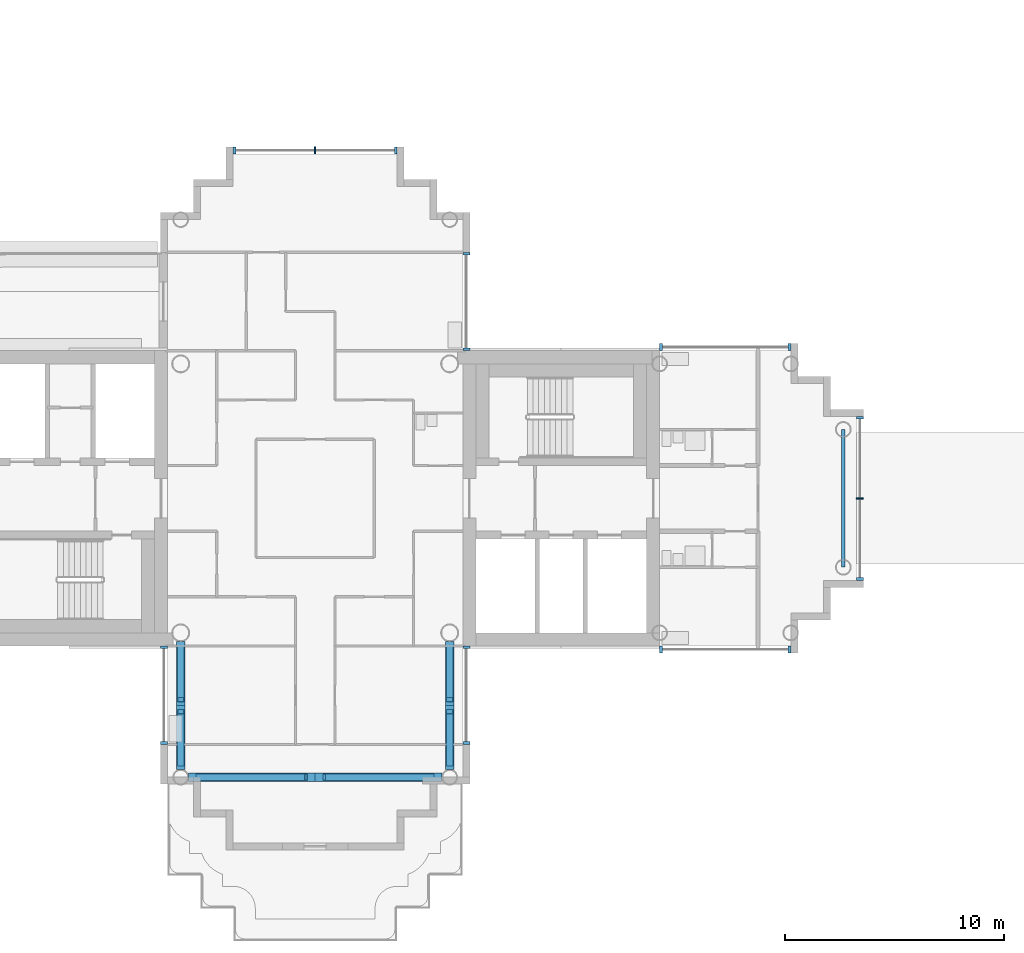
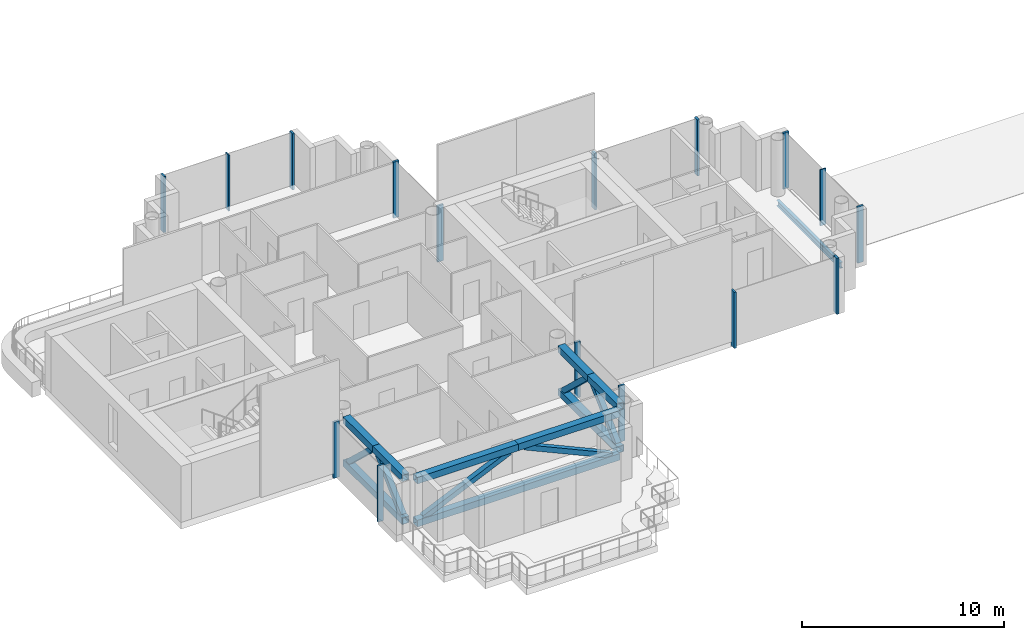
# One storey, part 3 of 19: 31 members, 1 beam, 7 elements without a shape of their own.
"""IFC4 building model written with IfcOpenShell, lengths in metres."""

import ifcopenshell
import ifcopenshell.guid

model = None  # the IFC model being written
_history = None  # IfcOwnerHistory: only IFC2X3 demands one
_inside = {}  # id of a spatial element -> (the spatial element, [elements in it])
_under = {}  # id of a project, library or spatial element -> (it, [spatial elements below it])
_declared = {}  # id of a project -> (the project, [libraries it declares])
_typed = {}  # id of a type object -> (the type object, [elements of that type])
_made_of = {}  # id of a material, layer set ... -> (it, [elements and type objects made of it])


def new_model(schema):
    """Start an empty IFC model of exactly this schema.

    Asked for "IFC4X3", IfcOpenShell would pick the latest addendum, in which some entities
    have other attributes; the version numbers below select the first issue.
    IFC2X3 requires an IfcOwnerHistory on every rooted entity: one is made here for all.
    """
    global model, _history
    if schema == "IFC4X3":
        model = ifcopenshell.file(schema_version=(4, 3, 0, 0))
    else:
        model = ifcopenshell.file(schema=schema)
    _inside.clear()
    _under.clear()
    _declared.clear()
    _typed.clear()
    _made_of.clear()
    _history = None
    if model.schema == "IFC2X3":
        org = make("IfcOrganization", Name="unknown")
        user = make(
            "IfcPersonAndOrganization",
            ThePerson=make("IfcPerson", FamilyName="unknown"),
            TheOrganization=org,
        )
        app = make(
            "IfcApplication",
            ApplicationDeveloper=org,
            Version="unknown",
            ApplicationFullName="unknown",
            ApplicationIdentifier="unknown",
        )
        _history = make(
            "IfcOwnerHistory",
            OwningUser=user,
            OwningApplication=app,
            ChangeAction="ADDED",
            CreationDate=0,
        )
    return model


def make(cls, **values):
    """One entity of the class cls with the attributes given. An attribute that is None is left unset."""
    return model.create_entity(
        cls, **{name: value for name, value in values.items() if value is not None}
    )


def rooted(cls, **values):
    """An entity with a GlobalId (a new one), such as an element, a storey or a relation."""
    return make(cls, GlobalId=ifcopenshell.guid.new(), OwnerHistory=_history, **values)


def si_unit(unit_type, name, prefix=None):
    """IfcSIUnit, for example si_unit("LENGTHUNIT", "METRE", prefix="MILLI")."""
    return make("IfcSIUnit", UnitType=unit_type, Prefix=prefix, Name=name)


def assignment(units):
    """IfcUnitAssignment: the units of a project."""
    return None if units is None else make("IfcUnitAssignment", Units=units)


def point(xyz):
    """IfcCartesianPoint."""
    return None if xyz is None else make("IfcCartesianPoint", Coordinates=xyz)


def direction(xyz):
    """IfcDirection."""
    return None if xyz is None else make("IfcDirection", DirectionRatios=xyz)


def frame(location, z_axis=None, x_axis=None):
    """IfcAxis2Placement3D, a coordinate frame: its origin and axes. An axis left out is left unset."""
    return make(
        "IfcAxis2Placement3D",
        Location=point(location),
        Axis=direction(z_axis),
        RefDirection=direction(x_axis),
    )


def frame_2d(location, x_axis=None):
    """IfcAxis2Placement2D, a coordinate frame in the plane: its origin and x axis."""
    return make(
        "IfcAxis2Placement2D", Location=point(location), RefDirection=direction(x_axis)
    )


def origin():
    """The frame at (0, 0, 0) with its axes left unset."""
    return frame((0.0, 0.0, 0.0))


def origin_2d():
    """The frame at (0, 0) in the plane with its x axis left unset."""
    return frame_2d((0.0, 0.0))


def place(relative_to, where):
    """IfcLocalPlacement: puts the frame where relative to a parent placement (None: the world)."""
    return make(
        "IfcLocalPlacement", PlacementRelTo=relative_to, RelativePlacement=where
    )


def context(
    kind, dimensions, precision=None, world=None, true_north=None, identifier=None
):
    """IfcGeometricRepresentationContext, for example the 3D "Model" context."""
    return make(
        "IfcGeometricRepresentationContext",
        ContextIdentifier=identifier,
        ContextType=kind,
        CoordinateSpaceDimension=dimensions,
        Precision=precision,
        WorldCoordinateSystem=world,
        TrueNorth=true_north,
    )


def subcontext(parent, identifier, kind, view, scale=None):
    """IfcGeometricRepresentationSubContext, for example "Body" below "Model"."""
    return make(
        "IfcGeometricRepresentationSubContext",
        ContextIdentifier=identifier,
        ContextType=kind,
        ParentContext=parent,
        TargetScale=scale,
        TargetView=view,
    )


def project(units=None, contexts=None):
    """IfcProject with its units and contexts."""
    return rooted(
        "IfcProject",
        Name="project",
        RepresentationContexts=contexts,
        UnitsInContext=assignment(units),
    )


def spatial(cls, under=None, at=None, **own):
    """A site, building, storey or space (cls), placed at a placement, below another one or the project."""
    s = rooted(cls, ObjectPlacement=at, **own)
    if under is not None:
        _under.setdefault(under.id(), (under, []))[1].append(s)
    return s


def profile(cls, at=None, kind="AREA", **sizes):
    """A parametric profile (cls). Its sizes go by their IFC names, for example OverallWidth=200.0."""
    return make(cls, ProfileType=kind, Position=at, **sizes)


def rectangle(**sizes):
    """IfcRectangleProfileDef."""
    return profile("IfcRectangleProfileDef", **sizes)


def hollow_rectangle(**sizes):
    """IfcRectangleHollowProfileDef."""
    return profile("IfcRectangleHollowProfileDef", **sizes)


def i_section(**sizes):
    """IfcIShapeProfileDef."""
    return profile("IfcIShapeProfileDef", **sizes)


def extrude(swept, where, along, depth):
    """IfcExtrudedAreaSolid: the profile swept, set in the frame where, extruded along a direction by depth."""
    return make(
        "IfcExtrudedAreaSolid",
        SweptArea=swept,
        Position=where,
        ExtrudedDirection=direction(along),
        Depth=depth,
    )


def shape(context_of_items, identifier, shape_type, items):
    """IfcShapeRepresentation: the items that make up one representation, for example the "Body"."""
    return make(
        "IfcShapeRepresentation",
        ContextOfItems=context_of_items,
        RepresentationIdentifier=identifier,
        RepresentationType=shape_type,
        Items=items,
    )


def material(Name=None, Category=None):
    """IfcMaterial."""
    return make("IfcMaterial", Name=Name, Category=Category)


def layer(
    of_material, thickness, ventilated=None, Name=None, Category=None, Priority=None
):
    """IfcMaterialLayer: one layer of a wall or slab, of a material (None: an air gap)."""
    return make(
        "IfcMaterialLayer",
        Material=of_material,
        LayerThickness=thickness,
        IsVentilated=ventilated,
        Name=Name,
        Category=Category,
        Priority=Priority,
    )


def layer_set(layers, Name=None):
    """IfcMaterialLayerSet."""
    return make("IfcMaterialLayerSet", MaterialLayers=layers, LayerSetName=Name)


def material_profile(
    of_material, cross_section, Name=None, Category=None, Priority=None
):
    """IfcMaterialProfile: a cross section and its material."""
    return make(
        "IfcMaterialProfile",
        Name=Name,
        Material=of_material,
        Profile=cross_section,
        Priority=Priority,
        Category=Category,
    )


def profile_set(profiles, Name=None, composite=None):
    """IfcMaterialProfileSet."""
    return make(
        "IfcMaterialProfileSet",
        Name=Name,
        MaterialProfiles=profiles,
        CompositeProfile=composite,
    )


def made_of(thing, what):
    """Note that an element or type object is made of a material, layer set ...; save() writes the relation."""
    if what is not None:
        _made_of.setdefault(what.id(), (what, []))[1].append(thing)
    return thing


def type_object(cls, material=None, **own):
    """A type object (cls), such as IfcWallType, which elements share."""
    return made_of(rooted(cls, **own), material)


def element(
    cls,
    number,
    at=None,
    inside=None,
    cuts=None,
    type_object=None,
    material=None,
    context=None,
    identifier="Body",
    shape_type=None,
    held_by="IfcProductDefinitionShape",
    body=None,
    shapes=None,
    **own,
):
    """One element of the class cls, such as IfcWall. Its Tag is "e" and its number.

    at: its placement. inside: the storey or other place that contains it. cuts: it is an
    opening in that element (IfcRelVoidsElement). A single representation is given by context,
    identifier, shape_type and body (its items); several are given by shapes. held_by: the class
    of the entity that holds the representations. save() writes the other relations.
    """
    e = rooted(cls, Tag="e%d" % number, ObjectPlacement=at, **own)
    if body is not None:
        shapes = [shape(context, identifier, shape_type, body)]
    if shapes is not None:
        e.Representation = make(held_by, Representations=shapes)
    if inside is not None:
        _inside.setdefault(inside.id(), (inside, []))[1].append(e)
    if cuts is not None:
        rooted(
            "IfcRelVoidsElement", RelatingBuildingElement=cuts, RelatedOpeningElement=e
        )
    if type_object is not None:
        _typed.setdefault(type_object.id(), (type_object, []))[1].append(e)
    return made_of(e, material)


def aggregate(whole, parts):
    """IfcRelAggregates: a whole, such as a stair, and the parts it consists of."""
    return rooted("IfcRelAggregates", RelatingObject=whole, RelatedObjects=parts)


def save(model, path):
    """Write the relations noted so far, then the file.

    IfcRelAggregates (storeys below a building ...), IfcRelContainedInSpatialStructure (elements
    in a storey), IfcRelDefinesByType, IfcRelAssociatesMaterial and IfcRelDeclares: one each for
    every whole, place, type object, material and project.
    """
    for whole, parts in _under.values():
        aggregate(whole, parts)
    for where, things in _inside.values():
        rooted(
            "IfcRelContainedInSpatialStructure",
            RelatedElements=things,
            RelatingStructure=where,
        )
    for kind, things in _typed.values():
        rooted("IfcRelDefinesByType", RelatedObjects=things, RelatingType=kind)
    for what, things in _made_of.values():
        rooted("IfcRelAssociatesMaterial", RelatedObjects=things, RelatingMaterial=what)
    for by, libraries in _declared.values():
        rooted("IfcRelDeclares", RelatingContext=by, RelatedDefinitions=libraries)
    model.write(path)


model = new_model("IFC4")

# Units and contexts
model_context = context("Model", 3, precision=1e-05, world=origin(), true_north=direction((0.0, 1.0)))
body_context = subcontext(model_context, "Body", "Model", "MODEL_VIEW")
ifc_project = project(units=[si_unit("LENGTHUNIT", "METRE"), si_unit("AREAUNIT", "SQUARE_METRE"), si_unit("VOLUMEUNIT", "CUBIC_METRE"), si_unit("PLANEANGLEUNIT", "RADIAN"), si_unit("MASSUNIT", "GRAM", prefix="KILO")], contexts=[model_context])

# Site, building, storey
site_placement = place(None, origin())
site = spatial("IfcSite", under=ifc_project, at=site_placement, CompositionType="ELEMENT")
building_placement = place(site_placement, origin())
building = spatial("IfcBuilding", under=site, at=building_placement, Name="Ipe Terrace Towers", CompositionType="ELEMENT")
storey_placement = place(building_placement, frame((0.0, 0.0, 185.800048828125)))
storey = spatial("IfcBuildingStorey", under=building, at=storey_placement, Name="L51", CompositionType="ELEMENT", Elevation=185.800048828125)

# Members
ifc_material_1 = material(Name="Steel S355", Category="steel")
ifc_material_profile_1 = material_profile(ifc_material_1, hollow_rectangle(XDim=0.300048828125, YDim=0.300048828125, WallThickness=0.01611328125, at=origin_2d()), Name="BELT-BRACE BOX 300x300x16")
ifc_profile_set_1 = profile_set([ifc_material_profile_1], Name="Steel S355")
member_type_1 = type_object("IfcMemberType", Name="BELT-BRACE BOX 300x300x16", PredefinedType="BRACE", material=ifc_profile_set_1)
for number, where, z_axis, x_axis, name in (
    (1, (-29.85009765625, -6.822021484375, 0.3798828125), (0.0, -0.728324957511, 0.685231899627), (1.0, 0.0, 0.0), "T1-BT-L51-017 diagonal"),
    (2, (-29.85009765625, -12.1279296875, 0.3798828125), (0.0, 0.728324957511, 0.685231899627), (-1.0, 0.0, 0.0), "T1-BT-L51-018 diagonal"),
    (3, (-42.14990234375, -6.822021484375, 0.3798828125), (0.0, -0.728324957511, 0.685231899627), (1.0, 0.0, 0.0), "T1-BT-L51-022 diagonal"),
    (4, (-42.14990234375, -12.1279296875, 0.3798828125), (0.0, 0.728324957511, 0.685231899627), (-1.0, 0.0, 0.0), "T1-BT-L51-023 diagonal"),
):
    element("IfcMember", number, at=place(storey_placement, frame(where, z_axis=z_axis, x_axis=x_axis)), inside=storey, type_object=member_type_1, Name=name, PredefinedType="BRACE", context=body_context, shape_type="SweptSolid", body=[
        extrude(hollow_rectangle(XDim=0.300048828125, YDim=0.300048828125, WallThickness=0.01611328125, at=origin_2d()), origin(), (0.0, 0.0, 1.0), 3.26904296875),
    ])
for number, where, z_axis, x_axis, name in (
    (5, (-41.3798828125, -12.75, 0.3798828125), (0.911370056844, 0.0, 0.411587924372), (0.0, 1.0, 0.0), "T1-BT-L51-027 diagonal"),
    (6, (-30.6201171875, -12.75, 0.3798828125), (-0.911370056844, 0.0, 0.411587924372), (0.0, -1.0, 0.0), "T1-BT-L51-028 diagonal"),
):
    element("IfcMember", number, at=place(storey_placement, frame(where, z_axis=z_axis, x_axis=x_axis)), inside=storey, type_object=member_type_1, Name=name, PredefinedType="BRACE", context=body_context, shape_type="SweptSolid", body=[
        extrude(hollow_rectangle(XDim=0.300048828125, YDim=0.300048828125, WallThickness=0.01611328125, at=origin_2d()), origin(), (0.0, 0.0, 1.0), 5.4423828125),
    ])
ifc_material_2 = material(Name="Steel S355", Category="steel")
ifc_material_profile_2 = material_profile(ifc_material_2, hollow_rectangle(XDim=0.39990234375, YDim=0.39990234375, WallThickness=0.02001953125, at=origin_2d()), Name="BELT-CHORD BOX 400x400x20")
ifc_profile_set_2 = profile_set([ifc_material_profile_2], Name="Steel S355")
member_type_2 = type_object("IfcMemberType", Name="BELT-CHORD BOX 400x400x20", PredefinedType="CHORD", material=ifc_profile_set_2)
member_1_placement = place(storey_placement, frame((-29.85009765625, -6.550048828125, 0.199951171875), z_axis=(0.0, -1.0, 0.0), x_axis=(1.0, 0.0, 0.0)))
element("IfcMember", 7, at=member_1_placement, inside=storey, type_object=member_type_2, Name="T1-BT-L51-016 bottom chord", PredefinedType="CHORD", context=body_context, shape_type="SweptSolid", body=[
    extrude(hollow_rectangle(XDim=0.39990234375, YDim=0.39990234375, WallThickness=0.02001953125, at=origin_2d()), origin(), (0.0, 0.0, 1.0), 5.849853515625),
])
member_2_placement = place(storey_placement, frame((-29.85009765625, -6.550048828125, 2.800048828125), z_axis=(0.0, -1.0, 0.0), x_axis=(1.0, 0.0, 0.0)))
element("IfcMember", 8, at=member_2_placement, inside=storey, type_object=member_type_2, Name="T1-BT-L51-019 top chord", PredefinedType="CHORD", context=body_context, shape_type="SweptSolid", body=[
    extrude(hollow_rectangle(XDim=0.39990234375, YDim=0.39990234375, WallThickness=0.02001953125, at=origin_2d()), origin(), (0.0, 0.0, 1.0), 2.925048828125),
])
member_3_placement = place(storey_placement, frame((-29.85009765625, -9.47509765625, 2.800048828125), z_axis=(0.0, -1.0, 0.0), x_axis=(1.0, 0.0, 0.0)))
element("IfcMember", 9, at=member_3_placement, inside=storey, type_object=member_type_2, Name="T1-BT-L51-020 top chord", PredefinedType="CHORD", context=body_context, shape_type="SweptSolid", body=[
    extrude(hollow_rectangle(XDim=0.39990234375, YDim=0.39990234375, WallThickness=0.02001953125, at=origin_2d()), origin(), (0.0, 0.0, 1.0), 2.9248046875),
])
member_4_placement = place(storey_placement, frame((-42.14990234375, -6.550048828125, 0.199951171875), z_axis=(0.0, -1.0, 0.0), x_axis=(1.0, 0.0, 0.0)))
element("IfcMember", 10, at=member_4_placement, inside=storey, type_object=member_type_2, Name="T1-BT-L51-021 bottom chord", PredefinedType="CHORD", context=body_context, shape_type="SweptSolid", body=[
    extrude(hollow_rectangle(XDim=0.39990234375, YDim=0.39990234375, WallThickness=0.02001953125, at=origin_2d()), origin(), (0.0, 0.0, 1.0), 5.849853515625),
])
member_5_placement = place(storey_placement, frame((-42.14990234375, -6.550048828125, 2.800048828125), z_axis=(0.0, -1.0, 0.0), x_axis=(1.0, 0.0, 0.0)))
element("IfcMember", 11, at=member_5_placement, inside=storey, type_object=member_type_2, Name="T1-BT-L51-024 top chord", PredefinedType="CHORD", context=body_context, shape_type="SweptSolid", body=[
    extrude(hollow_rectangle(XDim=0.39990234375, YDim=0.39990234375, WallThickness=0.02001953125, at=origin_2d()), origin(), (0.0, 0.0, 1.0), 2.925048828125),
])
member_6_placement = place(storey_placement, frame((-42.14990234375, -9.47509765625, 2.800048828125), z_axis=(0.0, -1.0, 0.0), x_axis=(1.0, 0.0, 0.0)))
element("IfcMember", 12, at=member_6_placement, inside=storey, type_object=member_type_2, Name="T1-BT-L51-025 top chord", PredefinedType="CHORD", context=body_context, shape_type="SweptSolid", body=[
    extrude(hollow_rectangle(XDim=0.39990234375, YDim=0.39990234375, WallThickness=0.02001953125, at=origin_2d()), origin(), (0.0, 0.0, 1.0), 2.9248046875),
])
member_7_placement = place(storey_placement, frame((-41.800048828125, -12.75, 0.199951171875), z_axis=(1.0, 0.0, 0.0), x_axis=(0.0, 1.0, 0.0)))
element("IfcMember", 13, at=member_7_placement, inside=storey, type_object=member_type_2, Name="T1-BT-L51-026 bottom chord", PredefinedType="CHORD", context=body_context, shape_type="SweptSolid", body=[
    extrude(hollow_rectangle(XDim=0.39990234375, YDim=0.39990234375, WallThickness=0.02001953125, at=origin_2d()), origin(), (0.0, 0.0, 1.0), 11.60009765625),
])
for number, where, z_axis, x_axis, name in (
    (14, (-41.800048828125, -12.75, 2.800048828125), (1.0, 0.0, 0.0), (0.0, 1.0, 0.0), "T1-BT-L51-029 top chord"),
    (15, (-36.0, -12.75, 2.800048828125), (1.0, 0.0, 0.0), (0.0, 1.0, 0.0), "T1-BT-L51-030 top chord"),
):
    element("IfcMember", number, at=place(storey_placement, frame(where, z_axis=z_axis, x_axis=x_axis)), inside=storey, type_object=member_type_2, Name=name, PredefinedType="CHORD", context=body_context, shape_type="SweptSolid", body=[
        extrude(hollow_rectangle(XDim=0.39990234375, YDim=0.39990234375, WallThickness=0.02001953125, at=origin_2d()), origin(), (0.0, 0.0, 1.0), 5.800048828125),
    ])

# Beam
ifc_material_3 = material(Name="Steel S355", Category="steel")
ifc_material_profile_3 = material_profile(ifc_material_3, i_section(OverallWidth=0.175048828125, OverallDepth=0.35009765625, WebThickness=0.007080078125, FlangeThickness=0.010986328125, at=origin_2d()), Name="H-350x175x7x11")
ifc_profile_set_3 = profile_set([ifc_material_profile_3], Name="Steel S355")
beam_type = type_object("IfcBeamType", Name="H04 EDGE BEAM H-350x175x7x11", PredefinedType="BEAM", material=ifc_profile_set_3)
beam_placement = place(storey_placement, frame((-11.85009765625, -3.14990234375, -0.574951171875), z_axis=(0.0, 1.0, 0.0), x_axis=(-1.0, 0.0, 0.0)))
element("IfcBeam", 16, at=beam_placement, inside=storey, type_object=beam_type, Name="Edge beam T1-EB-A05-A06", PredefinedType="BEAM", context=body_context, shape_type="SweptSolid", body=[
    extrude(i_section(OverallWidth=0.175048828125, OverallDepth=0.35009765625, WebThickness=0.007080078125, FlangeThickness=0.010986328125, at=origin_2d()), origin(), (0.0, 0.0, 1.0), 6.2998046875),
])

# Curtain wall, members
ifc_material_4 = material(Name="Aluminium alloy 6063-T6", Category="aluminium")
ifc_layer = layer(ifc_material_4, 0.320068359375)
ifc_layer_set = layer_set([ifc_layer], Name="TOWER UNITISED CURTAIN WALL")
curtain_wall_type = type_object("IfcCurtainWallType", Name="TOWER UNITISED CURTAIN WALL", PredefinedType="NOTDEFINED", material=ifc_layer_set)
curtain_wall_1_placement = place(storey_placement, origin())
curtain_wall_1 = element("IfcCurtainWall", 17, at=curtain_wall_1_placement, inside=storey, type_object=curtain_wall_type, Name="T1-CW-L51-02a curtain wall", PredefinedType="NOTDEFINED")
ifc_material_5 = material(Name="Aluminium alloy 6063-T6", Category="aluminium")
ifc_material_profile_4 = material_profile(ifc_material_5, rectangle(XDim=0.320068359375, YDim=0.1201171875, at=origin_2d()), Name="TOWER UNITISED CORNER MULLION 320 x 120")
ifc_profile_set_4 = profile_set([ifc_material_profile_4], Name="Aluminium alloy 6063-T6")
member_type_3 = type_object("IfcMemberType", Name="TOWER UNITISED CORNER MULLION 320 x 120", PredefinedType="MULLION", material=ifc_profile_set_4)
member_8_placement = place(storey_placement, frame((-42.909912109375, -6.81005859375, -0.300048828125), z_axis=(0.0, 0.0, 1.0), x_axis=(-1.0, 0.0, 0.0)))
member_8 = element("IfcMember", 18, at=member_8_placement, type_object=member_type_3, Name="T1-CW-L51-02a mullion 1", PredefinedType="MULLION", context=body_context, shape_type="SweptSolid", body=[
    extrude(rectangle(XDim=0.320068359375, YDim=0.1201171875, at=origin_2d()), origin(), (0.0, 0.0, 1.0), 3.39990234375),
])
member_9_placement = place(storey_placement, frame((-42.909912109375, -11.18994140625, -0.300048828125), z_axis=(0.0, 0.0, 1.0), x_axis=(-1.0, 0.0, 0.0)))
member_9 = element("IfcMember", 19, at=member_9_placement, type_object=member_type_3, Name="T1-CW-L51-02a mullion 2", PredefinedType="MULLION", context=body_context, shape_type="SweptSolid", body=[
    extrude(rectangle(XDim=0.320068359375, YDim=0.1201171875, at=origin_2d()), origin(), (0.0, 0.0, 1.0), 3.39990234375),
])
aggregate(curtain_wall_1, [member_8, member_9])

curtain_wall_2_placement = place(storey_placement, origin())
curtain_wall_2 = element("IfcCurtainWall", 20, at=curtain_wall_2_placement, inside=storey, type_object=curtain_wall_type, Name="T1-CW-L51-14a curtain wall", PredefinedType="NOTDEFINED")
member_10_placement = place(storey_placement, frame((-29.090087890625, -11.18994140625, -0.300048828125), z_axis=(0.0, 0.0, 1.0), x_axis=(1.0, 0.0, 0.0)))
member_10 = element("IfcMember", 21, at=member_10_placement, type_object=member_type_3, Name="T1-CW-L51-14a mullion 1", PredefinedType="MULLION", context=body_context, shape_type="SweptSolid", body=[
    extrude(rectangle(XDim=0.320068359375, YDim=0.1201171875, at=origin_2d()), origin(), (0.0, 0.0, 1.0), 3.39990234375),
])
member_11_placement = place(storey_placement, frame((-29.090087890625, -6.81005859375, -0.300048828125), z_axis=(0.0, 0.0, 1.0), x_axis=(1.0, 0.0, 0.0)))
member_11 = element("IfcMember", 22, at=member_11_placement, type_object=member_type_3, Name="T1-CW-L51-14a mullion 2", PredefinedType="MULLION", context=body_context, shape_type="SweptSolid", body=[
    extrude(rectangle(XDim=0.320068359375, YDim=0.1201171875, at=origin_2d()), origin(), (0.0, 0.0, 1.0), 3.39990234375),
])
aggregate(curtain_wall_2, [member_10, member_11])

curtain_wall_3_placement = place(storey_placement, origin())
curtain_wall_3 = element("IfcCurtainWall", 23, at=curtain_wall_3_placement, inside=storey, type_object=curtain_wall_type, Name="T1-CW-L51-16b curtain wall", PredefinedType="NOTDEFINED")
member_12_placement = place(storey_placement, frame((-20.18896484375, -6.909912109375, -0.300048828125), z_axis=(0.0, 0.0, 1.0), x_axis=(0.0, -1.0, 0.0)))
member_12 = element("IfcMember", 24, at=member_12_placement, type_object=member_type_3, Name="T1-CW-L51-16b mullion 1", PredefinedType="MULLION", context=body_context, shape_type="SweptSolid", body=[
    extrude(rectangle(XDim=0.320068359375, YDim=0.1201171875, at=origin_2d()), origin(), (0.0, 0.0, 1.0), 3.39990234375),
])
member_13_placement = place(storey_placement, frame((-14.31005859375, -6.909912109375, -0.300048828125), z_axis=(0.0, 0.0, 1.0), x_axis=(0.0, -1.0, 0.0)))
member_13 = element("IfcMember", 25, at=member_13_placement, type_object=member_type_3, Name="T1-CW-L51-16b mullion 2", PredefinedType="MULLION", context=body_context, shape_type="SweptSolid", body=[
    extrude(rectangle(XDim=0.320068359375, YDim=0.1201171875, at=origin_2d()), origin(), (0.0, 0.0, 1.0), 3.39990234375),
])
aggregate(curtain_wall_3, [member_12, member_13])

curtain_wall_4_placement = place(storey_placement, origin())
curtain_wall_4 = element("IfcCurtainWall", 26, at=curtain_wall_4_placement, inside=storey, type_object=curtain_wall_type, Name="T1-CW-L51-21a curtain wall", PredefinedType="NOTDEFINED")
member_14_placement = place(storey_placement, frame((-11.090087890625, -3.68994140625, -0.300048828125), z_axis=(0.0, 0.0, 1.0), x_axis=(1.0, 0.0, 0.0)))
member_14 = element("IfcMember", 27, at=member_14_placement, type_object=member_type_3, Name="T1-CW-L51-21a mullion 1", PredefinedType="MULLION", context=body_context, shape_type="SweptSolid", body=[
    extrude(rectangle(XDim=0.320068359375, YDim=0.1201171875, at=origin_2d()), origin(), (0.0, 0.0, 1.0), 3.39990234375),
])
member_15_placement = place(storey_placement, frame((-11.090087890625, 3.68994140625, -0.300048828125), z_axis=(0.0, 0.0, 1.0), x_axis=(1.0, 0.0, 0.0)))
member_15 = element("IfcMember", 28, at=member_15_placement, type_object=member_type_3, Name="T1-CW-L51-21a mullion 3", PredefinedType="MULLION", context=body_context, shape_type="SweptSolid", body=[
    extrude(rectangle(XDim=0.320068359375, YDim=0.1201171875, at=origin_2d()), origin(), (0.0, 0.0, 1.0), 3.39990234375),
])

curtain_wall_5_placement = place(storey_placement, origin())
curtain_wall_5 = element("IfcCurtainWall", 29, at=curtain_wall_5_placement, inside=storey, type_object=curtain_wall_type, Name="T1-CW-L51-26a curtain wall", PredefinedType="NOTDEFINED")
member_16_placement = place(storey_placement, frame((-14.31005859375, 6.909912109375, -0.300048828125), z_axis=(0.0, 0.0, 1.0), x_axis=(0.0, 1.0, 0.0)))
member_16 = element("IfcMember", 30, at=member_16_placement, type_object=member_type_3, Name="T1-CW-L51-26a mullion 1", PredefinedType="MULLION", context=body_context, shape_type="SweptSolid", body=[
    extrude(rectangle(XDim=0.320068359375, YDim=0.1201171875, at=origin_2d()), origin(), (0.0, 0.0, 1.0), 3.39990234375),
])
member_17_placement = place(storey_placement, frame((-20.18896484375, 6.909912109375, -0.300048828125), z_axis=(0.0, 0.0, 1.0), x_axis=(0.0, 1.0, 0.0)))
member_17 = element("IfcMember", 31, at=member_17_placement, type_object=member_type_3, Name="T1-CW-L51-26a mullion 2", PredefinedType="MULLION", context=body_context, shape_type="SweptSolid", body=[
    extrude(rectangle(XDim=0.320068359375, YDim=0.1201171875, at=origin_2d()), origin(), (0.0, 0.0, 1.0), 3.39990234375),
])
aggregate(curtain_wall_5, [member_16, member_17])

curtain_wall_6_placement = place(storey_placement, origin())
curtain_wall_6 = element("IfcCurtainWall", 32, at=curtain_wall_6_placement, inside=storey, type_object=curtain_wall_type, Name="T1-CW-L51-28a curtain wall", PredefinedType="NOTDEFINED")
member_18_placement = place(storey_placement, frame((-29.090087890625, 6.81005859375, -0.300048828125), z_axis=(0.0, 0.0, 1.0), x_axis=(1.0, 0.0, 0.0)))
member_18 = element("IfcMember", 33, at=member_18_placement, type_object=member_type_3, Name="T1-CW-L51-28a mullion 1", PredefinedType="MULLION", context=body_context, shape_type="SweptSolid", body=[
    extrude(rectangle(XDim=0.320068359375, YDim=0.1201171875, at=origin_2d()), origin(), (0.0, 0.0, 1.0), 3.39990234375),
])
member_19_placement = place(storey_placement, frame((-29.090087890625, 11.18994140625, -0.300048828125), z_axis=(0.0, 0.0, 1.0), x_axis=(1.0, 0.0, 0.0)))
member_19 = element("IfcMember", 34, at=member_19_placement, type_object=member_type_3, Name="T1-CW-L51-28a mullion 2", PredefinedType="MULLION", context=body_context, shape_type="SweptSolid", body=[
    extrude(rectangle(XDim=0.320068359375, YDim=0.1201171875, at=origin_2d()), origin(), (0.0, 0.0, 1.0), 3.39990234375),
])
aggregate(curtain_wall_6, [member_18, member_19])

curtain_wall_7_placement = place(storey_placement, origin())
curtain_wall_7 = element("IfcCurtainWall", 35, at=curtain_wall_7_placement, inside=storey, type_object=curtain_wall_type, Name="T1-CW-L51-34a curtain wall", PredefinedType="NOTDEFINED")
member_20_placement = place(storey_placement, frame((-32.31005859375, 15.909912109375, -0.300048828125), z_axis=(0.0, 0.0, 1.0), x_axis=(0.0, 1.0, 0.0)))
member_20 = element("IfcMember", 36, at=member_20_placement, type_object=member_type_3, Name="T1-CW-L51-34a mullion 1", PredefinedType="MULLION", context=body_context, shape_type="SweptSolid", body=[
    extrude(rectangle(XDim=0.320068359375, YDim=0.1201171875, at=origin_2d()), origin(), (0.0, 0.0, 1.0), 3.39990234375),
])
member_21_placement = place(storey_placement, frame((-39.68994140625, 15.909912109375, -0.300048828125), z_axis=(0.0, 0.0, 1.0), x_axis=(0.0, 1.0, 0.0)))
member_21 = element("IfcMember", 37, at=member_21_placement, type_object=member_type_3, Name="T1-CW-L51-34a mullion 3", PredefinedType="MULLION", context=body_context, shape_type="SweptSolid", body=[
    extrude(rectangle(XDim=0.320068359375, YDim=0.1201171875, at=origin_2d()), origin(), (0.0, 0.0, 1.0), 3.39990234375),
])

# Member
ifc_material_6 = material(Name="Aluminium alloy 6063-T6", Category="aluminium")
ifc_material_profile_5 = material_profile(ifc_material_6, rectangle(XDim=0.320068359375, YDim=0.06494140625, at=origin_2d()), Name="TOWER UNITISED MULLION 320 x 65")
ifc_profile_set_5 = profile_set([ifc_material_profile_5], Name="Aluminium alloy 6063-T6")
member_type_4 = type_object("IfcMemberType", Name="TOWER UNITISED MULLION 320 x 65", PredefinedType="MULLION", material=ifc_profile_set_5)
member_22_placement = place(storey_placement, frame((-11.090087890625, 0.0, -0.300048828125), z_axis=(0.0, 0.0, 1.0), x_axis=(1.0, 0.0, 0.0)))
member_22 = element("IfcMember", 38, at=member_22_placement, type_object=member_type_4, Name="T1-CW-L51-21a mullion 2", PredefinedType="MULLION", context=body_context, shape_type="SweptSolid", body=[
    extrude(rectangle(XDim=0.320068359375, YDim=0.06494140625, at=origin_2d()), origin(), (0.0, 0.0, 1.0), 3.39990234375),
])

aggregate(curtain_wall_4, [member_14, member_22, member_15])

member_23_placement = place(storey_placement, frame((-36.0, 15.909912109375, -0.300048828125), z_axis=(0.0, 0.0, 1.0), x_axis=(0.0, 1.0, 0.0)))
member_23 = element("IfcMember", 39, at=member_23_placement, type_object=member_type_4, Name="T1-CW-L51-34a mullion 2", PredefinedType="MULLION", context=body_context, shape_type="SweptSolid", body=[
    extrude(rectangle(XDim=0.320068359375, YDim=0.06494140625, at=origin_2d()), origin(), (0.0, 0.0, 1.0), 3.39990234375),
])

aggregate(curtain_wall_7, [member_20, member_23, member_21])

save(model, "model.ifc")
